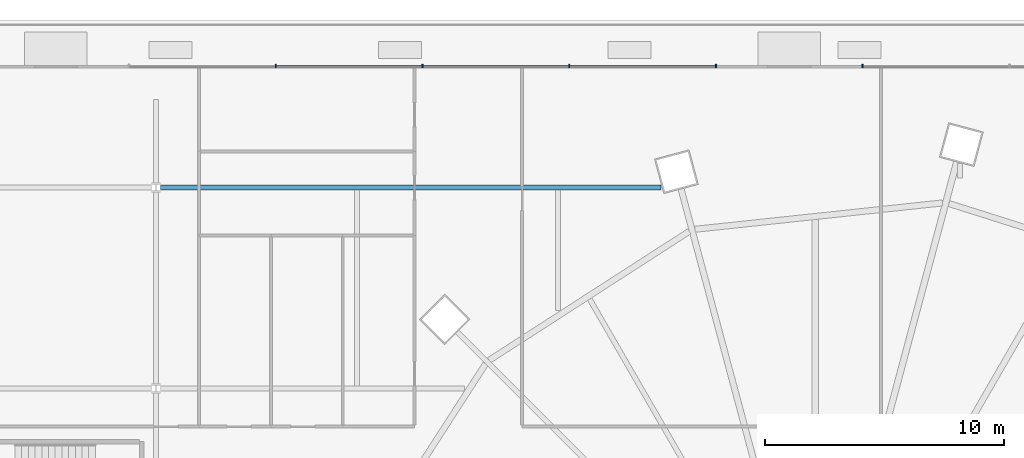
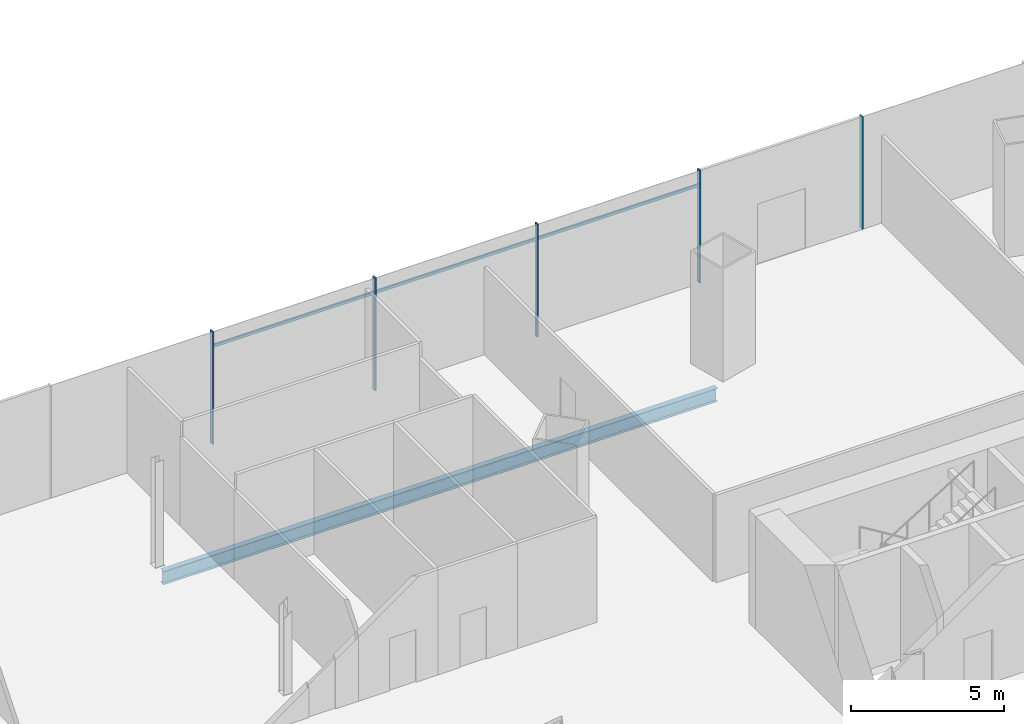
# One storey, part 26 of 49: 8 members, 1 beam, 1 element without a shape of its own.
"""IFC4 building model written with IfcOpenShell, lengths in metres."""

import ifcopenshell
import ifcopenshell.guid

model = None  # the IFC model being written
_history = None  # IfcOwnerHistory: only IFC2X3 demands one
_inside = {}  # id of a spatial element -> (the spatial element, [elements in it])
_under = {}  # id of a project, library or spatial element -> (it, [spatial elements below it])
_declared = {}  # id of a project -> (the project, [libraries it declares])
_typed = {}  # id of a type object -> (the type object, [elements of that type])
_made_of = {}  # id of a material, layer set ... -> (it, [elements and type objects made of it])


def new_model(schema):
    """Start an empty IFC model of exactly this schema.

    Asked for "IFC4X3", IfcOpenShell would pick the latest addendum, in which some entities
    have other attributes; the version numbers below select the first issue.
    IFC2X3 requires an IfcOwnerHistory on every rooted entity: one is made here for all.
    """
    global model, _history
    if schema == "IFC4X3":
        model = ifcopenshell.file(schema_version=(4, 3, 0, 0))
    else:
        model = ifcopenshell.file(schema=schema)
    _inside.clear()
    _under.clear()
    _declared.clear()
    _typed.clear()
    _made_of.clear()
    _history = None
    if model.schema == "IFC2X3":
        org = make("IfcOrganization", Name="unknown")
        user = make(
            "IfcPersonAndOrganization",
            ThePerson=make("IfcPerson", FamilyName="unknown"),
            TheOrganization=org,
        )
        app = make(
            "IfcApplication",
            ApplicationDeveloper=org,
            Version="unknown",
            ApplicationFullName="unknown",
            ApplicationIdentifier="unknown",
        )
        _history = make(
            "IfcOwnerHistory",
            OwningUser=user,
            OwningApplication=app,
            ChangeAction="ADDED",
            CreationDate=0,
        )
    return model


def make(cls, **values):
    """One entity of the class cls with the attributes given. An attribute that is None is left unset."""
    return model.create_entity(
        cls, **{name: value for name, value in values.items() if value is not None}
    )


def rooted(cls, **values):
    """An entity with a GlobalId (a new one), such as an element, a storey or a relation."""
    return make(cls, GlobalId=ifcopenshell.guid.new(), OwnerHistory=_history, **values)


def si_unit(unit_type, name, prefix=None):
    """IfcSIUnit, for example si_unit("LENGTHUNIT", "METRE", prefix="MILLI")."""
    return make("IfcSIUnit", UnitType=unit_type, Prefix=prefix, Name=name)


def assignment(units):
    """IfcUnitAssignment: the units of a project."""
    return None if units is None else make("IfcUnitAssignment", Units=units)


def point(xyz):
    """IfcCartesianPoint."""
    return None if xyz is None else make("IfcCartesianPoint", Coordinates=xyz)


def direction(xyz):
    """IfcDirection."""
    return None if xyz is None else make("IfcDirection", DirectionRatios=xyz)


def frame(location, z_axis=None, x_axis=None):
    """IfcAxis2Placement3D, a coordinate frame: its origin and axes. An axis left out is left unset."""
    return make(
        "IfcAxis2Placement3D",
        Location=point(location),
        Axis=direction(z_axis),
        RefDirection=direction(x_axis),
    )


def frame_2d(location, x_axis=None):
    """IfcAxis2Placement2D, a coordinate frame in the plane: its origin and x axis."""
    return make(
        "IfcAxis2Placement2D", Location=point(location), RefDirection=direction(x_axis)
    )


def origin():
    """The frame at (0, 0, 0) with its axes left unset."""
    return frame((0.0, 0.0, 0.0))


def origin_2d():
    """The frame at (0, 0) in the plane with its x axis left unset."""
    return frame_2d((0.0, 0.0))


def place(relative_to, where):
    """IfcLocalPlacement: puts the frame where relative to a parent placement (None: the world)."""
    return make(
        "IfcLocalPlacement", PlacementRelTo=relative_to, RelativePlacement=where
    )


def context(
    kind, dimensions, precision=None, world=None, true_north=None, identifier=None
):
    """IfcGeometricRepresentationContext, for example the 3D "Model" context."""
    return make(
        "IfcGeometricRepresentationContext",
        ContextIdentifier=identifier,
        ContextType=kind,
        CoordinateSpaceDimension=dimensions,
        Precision=precision,
        WorldCoordinateSystem=world,
        TrueNorth=true_north,
    )


def subcontext(parent, identifier, kind, view, scale=None):
    """IfcGeometricRepresentationSubContext, for example "Body" below "Model"."""
    return make(
        "IfcGeometricRepresentationSubContext",
        ContextIdentifier=identifier,
        ContextType=kind,
        ParentContext=parent,
        TargetScale=scale,
        TargetView=view,
    )


def project(units=None, contexts=None):
    """IfcProject with its units and contexts."""
    return rooted(
        "IfcProject",
        Name="project",
        RepresentationContexts=contexts,
        UnitsInContext=assignment(units),
    )


def spatial(cls, under=None, at=None, **own):
    """A site, building, storey or space (cls), placed at a placement, below another one or the project."""
    s = rooted(cls, ObjectPlacement=at, **own)
    if under is not None:
        _under.setdefault(under.id(), (under, []))[1].append(s)
    return s


def profile(cls, at=None, kind="AREA", **sizes):
    """A parametric profile (cls). Its sizes go by their IFC names, for example OverallWidth=200.0."""
    return make(cls, ProfileType=kind, Position=at, **sizes)


def rectangle(**sizes):
    """IfcRectangleProfileDef."""
    return profile("IfcRectangleProfileDef", **sizes)


def i_section(**sizes):
    """IfcIShapeProfileDef."""
    return profile("IfcIShapeProfileDef", **sizes)


def extrude(swept, where, along, depth):
    """IfcExtrudedAreaSolid: the profile swept, set in the frame where, extruded along a direction by depth."""
    return make(
        "IfcExtrudedAreaSolid",
        SweptArea=swept,
        Position=where,
        ExtrudedDirection=direction(along),
        Depth=depth,
    )


def shape(context_of_items, identifier, shape_type, items):
    """IfcShapeRepresentation: the items that make up one representation, for example the "Body"."""
    return make(
        "IfcShapeRepresentation",
        ContextOfItems=context_of_items,
        RepresentationIdentifier=identifier,
        RepresentationType=shape_type,
        Items=items,
    )


def material(Name=None, Category=None):
    """IfcMaterial."""
    return make("IfcMaterial", Name=Name, Category=Category)


def material_profile(
    of_material, cross_section, Name=None, Category=None, Priority=None
):
    """IfcMaterialProfile: a cross section and its material."""
    return make(
        "IfcMaterialProfile",
        Name=Name,
        Material=of_material,
        Profile=cross_section,
        Priority=Priority,
        Category=Category,
    )


def profile_set(profiles, Name=None, composite=None):
    """IfcMaterialProfileSet."""
    return make(
        "IfcMaterialProfileSet",
        Name=Name,
        MaterialProfiles=profiles,
        CompositeProfile=composite,
    )


def made_of(thing, what):
    """Note that an element or type object is made of a material, layer set ...; save() writes the relation."""
    if what is not None:
        _made_of.setdefault(what.id(), (what, []))[1].append(thing)
    return thing


def type_object(cls, material=None, **own):
    """A type object (cls), such as IfcWallType, which elements share."""
    return made_of(rooted(cls, **own), material)


def element(
    cls,
    number,
    at=None,
    inside=None,
    cuts=None,
    type_object=None,
    material=None,
    context=None,
    identifier="Body",
    shape_type=None,
    held_by="IfcProductDefinitionShape",
    body=None,
    shapes=None,
    **own,
):
    """One element of the class cls, such as IfcWall. Its Tag is "e" and its number.

    at: its placement. inside: the storey or other place that contains it. cuts: it is an
    opening in that element (IfcRelVoidsElement). A single representation is given by context,
    identifier, shape_type and body (its items); several are given by shapes. held_by: the class
    of the entity that holds the representations. save() writes the other relations.
    """
    e = rooted(cls, Tag="e%d" % number, ObjectPlacement=at, **own)
    if body is not None:
        shapes = [shape(context, identifier, shape_type, body)]
    if shapes is not None:
        e.Representation = make(held_by, Representations=shapes)
    if inside is not None:
        _inside.setdefault(inside.id(), (inside, []))[1].append(e)
    if cuts is not None:
        rooted(
            "IfcRelVoidsElement", RelatingBuildingElement=cuts, RelatedOpeningElement=e
        )
    if type_object is not None:
        _typed.setdefault(type_object.id(), (type_object, []))[1].append(e)
    return made_of(e, material)


def aggregate(whole, parts):
    """IfcRelAggregates: a whole, such as a stair, and the parts it consists of."""
    return rooted("IfcRelAggregates", RelatingObject=whole, RelatedObjects=parts)


def save(model, path):
    """Write the relations noted so far, then the file.

    IfcRelAggregates (storeys below a building ...), IfcRelContainedInSpatialStructure (elements
    in a storey), IfcRelDefinesByType, IfcRelAssociatesMaterial and IfcRelDeclares: one each for
    every whole, place, type object, material and project.
    """
    for whole, parts in _under.values():
        aggregate(whole, parts)
    for where, things in _inside.values():
        rooted(
            "IfcRelContainedInSpatialStructure",
            RelatedElements=things,
            RelatingStructure=where,
        )
    for kind, things in _typed.values():
        rooted("IfcRelDefinesByType", RelatedObjects=things, RelatingType=kind)
    for what, things in _made_of.values():
        rooted("IfcRelAssociatesMaterial", RelatedObjects=things, RelatingMaterial=what)
    for by, libraries in _declared.values():
        rooted("IfcRelDeclares", RelatingContext=by, RelatedDefinitions=libraries)
    model.write(path)


model = new_model("IFC4")

# Units and contexts
model_context = context("Model", 3, precision=1e-05, world=origin(), true_north=direction((0.0, 1.0)))
body_context = subcontext(model_context, "Body", "Model", "MODEL_VIEW")
ifc_project = project(units=[si_unit("LENGTHUNIT", "METRE"), si_unit("AREAUNIT", "SQUARE_METRE"), si_unit("VOLUMEUNIT", "CUBIC_METRE"), si_unit("PLANEANGLEUNIT", "RADIAN"), si_unit("MASSUNIT", "GRAM", prefix="KILO")], contexts=[model_context])

# Site, building, storey
site_placement = place(None, origin())
site = spatial("IfcSite", under=ifc_project, at=site_placement, CompositionType="ELEMENT")
building_placement = place(site_placement, origin())
building = spatial("IfcBuilding", under=site, at=building_placement, Name="Rimbun Link Towers", CompositionType="ELEMENT")
storey_placement = place(building_placement, frame((0.0, 0.0, 25.5)))
storey = spatial("IfcBuildingStorey", under=building, at=storey_placement, Name="L05", CompositionType="ELEMENT", Elevation=25.5)

# Curtain wall, members
ifc_material_1 = material(Name="Aluminium 6063-T6 and low-iron glass", Category="aluminium")
curtain_wall_type = type_object("IfcCurtainWallType", Name="CW3 podium shopfront", PredefinedType="NOTDEFINED", material=ifc_material_1)
curtain_wall_placement = place(storey_placement, origin())
curtain_wall = element("IfcCurtainWall", 1, at=curtain_wall_placement, inside=storey, type_object=curtain_wall_type, Name="CW3 L05 PD", PredefinedType="NOTDEFINED")
ifc_material_2 = material(Name="Aluminium 6063-T6", Category="aluminium")
ifc_material_profile_1 = material_profile(ifc_material_2, rectangle(XDim=0.14990234375, YDim=0.06005859375, at=origin_2d()), Name="MULLION 60X150")
ifc_profile_set_1 = profile_set([ifc_material_profile_1], Name="Aluminium 6063-T6")
member_type_1 = type_object("IfcMemberType", Name="CW3 mullion 60X150", PredefinedType="MULLION", material=ifc_profile_set_1)
member_1_placement = place(storey_placement, frame((33.7333984375, 26.074951171875, 0.0), z_axis=(0.0, 0.0, 1.0), x_axis=(0.0, 1.0, 0.0)))
member_1 = element("IfcMember", 2, at=member_1_placement, type_object=member_type_1, Name="CW3 mullion", PredefinedType="MULLION", context=body_context, shape_type="SweptSolid", body=[
    extrude(rectangle(XDim=0.14990234375, YDim=0.06005859375, at=origin_2d()), origin(), (0.0, 0.0, 1.0), 4.5),
])
member_2_placement = place(storey_placement, frame((27.60009765625, 26.074951171875, 0.0), z_axis=(0.0, 0.0, 1.0), x_axis=(0.0, 1.0, 0.0)))
member_2 = element("IfcMember", 3, at=member_2_placement, type_object=member_type_1, Name="CW3 mullion", PredefinedType="MULLION", context=body_context, shape_type="SweptSolid", body=[
    extrude(rectangle(XDim=0.14990234375, YDim=0.06005859375, at=origin_2d()), origin(), (0.0, 0.0, 1.0), 4.5),
])
member_3_placement = place(storey_placement, frame((21.466552734375, 26.074951171875, 0.0), z_axis=(0.0, 0.0, 1.0), x_axis=(0.0, 1.0, 0.0)))
member_3 = element("IfcMember", 4, at=member_3_placement, type_object=member_type_1, Name="CW3 mullion", PredefinedType="MULLION", context=body_context, shape_type="SweptSolid", body=[
    extrude(rectangle(XDim=0.14990234375, YDim=0.06005859375, at=origin_2d()), origin(), (0.0, 0.0, 1.0), 4.5),
])
member_4_placement = place(storey_placement, frame((15.333251953125, 26.074951171875, 0.0), z_axis=(0.0, 0.0, 1.0), x_axis=(0.0, 1.0, 0.0)))
member_4 = element("IfcMember", 5, at=member_4_placement, type_object=member_type_1, Name="CW3 mullion", PredefinedType="MULLION", context=body_context, shape_type="SweptSolid", body=[
    extrude(rectangle(XDim=0.14990234375, YDim=0.06005859375, at=origin_2d()), origin(), (0.0, 0.0, 1.0), 4.5),
])
member_5_placement = place(storey_placement, frame((9.199951171875, 26.074951171875, 0.0), z_axis=(0.0, 0.0, 1.0), x_axis=(0.0, 1.0, 0.0)))
member_5 = element("IfcMember", 6, at=member_5_placement, type_object=member_type_1, Name="CW3 mullion", PredefinedType="MULLION", context=body_context, shape_type="SweptSolid", body=[
    extrude(rectangle(XDim=0.14990234375, YDim=0.06005859375, at=origin_2d()), origin(), (0.0, 0.0, 1.0), 4.5),
])
ifc_material_3 = material(Name="Aluminium 6063-T6", Category="aluminium")
ifc_material_profile_2 = material_profile(ifc_material_3, rectangle(XDim=0.06005859375, YDim=0.1201171875, at=origin_2d()), Name="TRANSOM 60X120")
ifc_profile_set_2 = profile_set([ifc_material_profile_2], Name="Aluminium 6063-T6")
member_type_2 = type_object("IfcMemberType", Name="CW3 transom 60X120", PredefinedType="USERDEFINED", material=ifc_profile_set_2)
member_6_placement = place(storey_placement, frame((21.49658203125, 26.053955078125, 3.89990234375), z_axis=(1.0, 0.0, 0.0), x_axis=(0.0, 1.0, 0.0)))
member_6 = element("IfcMember", 7, at=member_6_placement, type_object=member_type_2, Name="CW3 transom", ObjectType="TRANSOM", PredefinedType="USERDEFINED", context=body_context, shape_type="SweptSolid", body=[
    extrude(rectangle(XDim=0.06005859375, YDim=0.1201171875, at=origin_2d()), origin(), (0.0, 0.0, 1.0), 6.073486328125),
])
member_7_placement = place(storey_placement, frame((15.36328125, 26.053955078125, 3.89990234375), z_axis=(1.0, 0.0, 0.0), x_axis=(0.0, 1.0, 0.0)))
member_7 = element("IfcMember", 8, at=member_7_placement, type_object=member_type_2, Name="CW3 transom", ObjectType="TRANSOM", PredefinedType="USERDEFINED", context=body_context, shape_type="SweptSolid", body=[
    extrude(rectangle(XDim=0.06005859375, YDim=0.1201171875, at=origin_2d()), origin(), (0.0, 0.0, 1.0), 6.073486328125),
])
member_8_placement = place(storey_placement, frame((9.22998046875, 26.053955078125, 3.89990234375), z_axis=(1.0, 0.0, 0.0), x_axis=(0.0, 1.0, 0.0)))
member_8 = element("IfcMember", 9, at=member_8_placement, type_object=member_type_2, Name="CW3 transom", ObjectType="TRANSOM", PredefinedType="USERDEFINED", context=body_context, shape_type="SweptSolid", body=[
    extrude(rectangle(XDim=0.06005859375, YDim=0.1201171875, at=origin_2d()), origin(), (0.0, 0.0, 1.0), 6.0732421875),
])
aggregate(curtain_wall, [member_1, member_2, member_3, member_4, member_5, member_6, member_7, member_8])

# Beam
ifc_material_4 = material(Name="Steel S355J2", Category="steel")
ifc_material_profile_3 = material_profile(ifc_material_4, i_section(OverallWidth=0.209228515625, OverallDepth=0.533203125, WebThickness=0.010009765625, FlangeThickness=0.015625, at=origin_2d()), Name="UB 533x210x92")
ifc_profile_set_3 = profile_set([ifc_material_profile_3], Name="Steel S355J2")
beam_type = type_object("IfcBeamType", Name="UB 533x210x92", PredefinedType="BEAM", material=ifc_profile_set_3)
beam_placement = place(storey_placement, frame((4.38525390625, 21.0, -0.56640625), z_axis=(1.0, 0.0, 0.0), x_axis=(0.0, 1.0, 0.0)))
element("IfcBeam", 10, at=beam_placement, inside=storey, type_object=beam_type, Name="Grid beam L05 +21.0", PredefinedType="BEAM", context=body_context, shape_type="SweptSolid", body=[
    extrude(i_section(OverallWidth=0.209228515625, OverallDepth=0.533203125, WebThickness=0.010009765625, FlangeThickness=0.015625, at=origin_2d()), origin(), (0.0, 0.0, 1.0), 20.92724609375),
])

save(model, "model.ifc")
